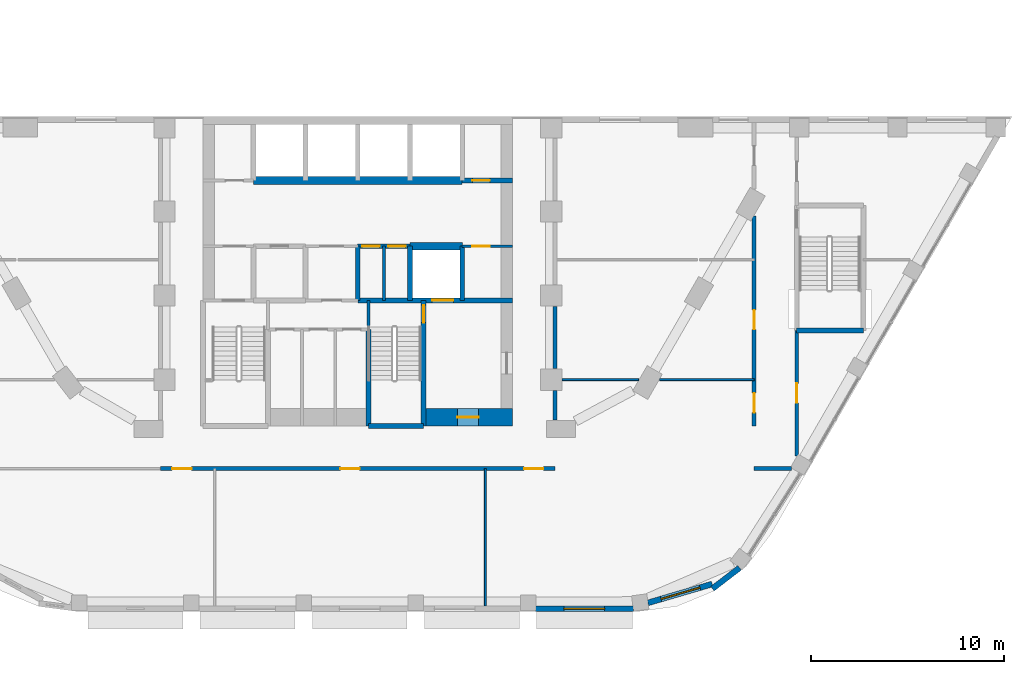
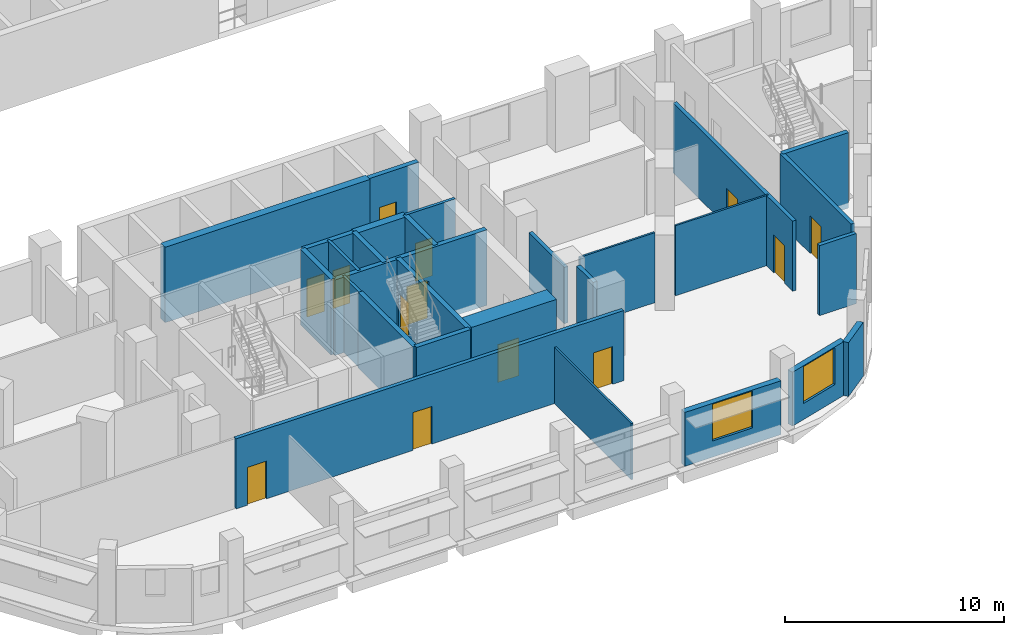
# One storey, part 21 of 47: 28 walls, 13 doors, 2 windows, 15 openings.
"""IFC4 building model written with IfcOpenShell, lengths in metres."""

from ifc_helpers import new_model, si_unit, direction, frame, frame_2d, origin, place, context, subcontext, project, spatial, rectangle, extrude, material, layer, layer_set, type_object, element, fill, save


model = new_model("IFC4")

# Units and contexts
model_context = context("Model", 3, precision=1e-05, world=origin(), true_north=direction((0.0, 1.0)))
body_context = subcontext(model_context, "Body", "Model", "MODEL_VIEW")
ifc_project = project(units=[si_unit("LENGTHUNIT", "METRE"), si_unit("AREAUNIT", "SQUARE_METRE"), si_unit("VOLUMEUNIT", "CUBIC_METRE"), si_unit("PLANEANGLEUNIT", "RADIAN"), si_unit("MASSUNIT", "GRAM", prefix="KILO")], contexts=[model_context])

# Site, building, storey
site_placement = place(None, origin())
site = spatial("IfcSite", under=ifc_project, at=site_placement, CompositionType="ELEMENT")
building_placement = place(site_placement, origin())
building = spatial("IfcBuilding", under=site, at=building_placement, Name="Nakaniwa Court", CompositionType="ELEMENT")
storey_placement = place(building_placement, frame((0.0, 0.0, 15.60009765625)))
storey = spatial("IfcBuildingStorey", under=building, at=storey_placement, Name="L03", CompositionType="ELEMENT", Elevation=15.60009765625)

# Wall, opening, door
ifc_material_1 = material(Name="Acoustic double stud partition")
ifc_layer_1 = layer(ifc_material_1, 0.199951171875)
ifc_layer_set_1 = layer_set([ifc_layer_1], Name="Acoustic double stud partition")
wall_type_1 = type_object("IfcWallType", Name="Acoustic double stud partition 200", PredefinedType="PARTITIONING", material=ifc_layer_set_1)
wall_1_placement = place(storey_placement, frame((102.699951171875, 61.552978515625, 0.0), z_axis=(0.0, 0.0, 1.0), x_axis=(0.0, -1.0, 0.0)))
wall_1 = element("IfcWall", 1, at=wall_1_placement, inside=storey, type_object=wall_type_1, Name="Partition PW-081", PredefinedType="PARTITIONING", context=body_context, shape_type="SweptSolid", body=[
    extrude(rectangle(XDim=6.49853515625, YDim=0.199951171875, at=frame_2d((3.249267578125, 0.0))), origin(), (0.0, 0.0, 1.0), 3.89990234375),
])
opening_1_placement = place(wall_1_placement, frame((2.75, 0.0, 0.0)))
opening_1 = element("IfcOpeningElement", 2, at=opening_1_placement, cuts=wall_1, Name="Opening D-02-11", PredefinedType="OPENING", context=body_context, shape_type="SweptSolid", body=[
    extrude(rectangle(XDim=1.0, YDim=2.10009765625, at=frame_2d((0.5, 1.050048828125))), frame((0.0, 0.10986328125, 0.0), z_axis=(0.0, -1.0, 0.0), x_axis=(1.0, 0.0, 0.0)), (0.0, 0.0, 1.0), 0.219970703125),
])
ifc_material_2 = material(Name="Solid core timber door set, black veneer", Category="wood")
door_type_1 = type_object("IfcDoorType", Name="Internal door 1000", OperationType="NOTDEFINED", PredefinedType="DOOR", material=ifc_material_2)
door_1_placement = place(opening_1_placement, origin())
door_1 = element("IfcDoor", 3, at=door_1_placement, inside=storey, type_object=door_type_1, Name="Door D-02-11 L03-043", OperationType="SINGLE_SWING_RIGHT", OverallHeight=2.10009765625, OverallWidth=1.0, PredefinedType="DOOR", context=body_context, shape_type="SweptSolid", body=[
    extrude(rectangle(XDim=1.0, YDim=2.10009765625, at=frame_2d((0.5, 1.050048828125))), frame((0.0, 0.02490234375, 0.0), z_axis=(0.0, -1.0, 0.0), x_axis=(1.0, 0.0, 0.0)), (0.0, 0.0, 1.0), 0.050048828125),
])
fill(opening_1, door_1)

# Wall, openings, doors
wall_2_placement = place(storey_placement, frame((100.5, 56.596923828125, 0.0), z_axis=(0.0, 0.0, 1.0), x_axis=(0.0, 1.0, 0.0)))
wall_2 = element("IfcWall", 4, at=wall_2_placement, inside=storey, type_object=wall_type_1, Name="Partition PW-085", PredefinedType="PARTITIONING", context=body_context, shape_type="SweptSolid", body=[
    extrude(rectangle(XDim=10.873291015625, YDim=0.199951171875, at=frame_2d((5.4365234375, 0.0))), origin(), (0.0, 0.0, 1.0), 3.89990234375),
])
opening_2_placement = place(wall_2_placement, frame((5.0029296875, 0.0, 0.0)))
opening_2 = element("IfcOpeningElement", 5, at=opening_2_placement, cuts=wall_2, Name="Opening D-02-15", PredefinedType="OPENING", context=body_context, shape_type="SweptSolid", body=[
    extrude(rectangle(XDim=1.0, YDim=2.10009765625, at=frame_2d((0.5, 1.050048828125))), frame((0.0, 0.10986328125, 0.0), z_axis=(0.0, -1.0, 0.0), x_axis=(1.0, 0.0, 0.0)), (0.0, 0.0, 1.0), 0.219970703125),
])
opening_3_placement = place(wall_2_placement, frame((0.702880859375, 0.0, 0.0)))
opening_3 = element("IfcOpeningElement", 6, at=opening_3_placement, cuts=wall_2, Name="Opening D-02-16", PredefinedType="OPENING", context=body_context, shape_type="SweptSolid", body=[
    extrude(rectangle(XDim=1.0, YDim=2.10009765625, at=frame_2d((0.5, 1.050048828125))), frame((0.0, 0.10986328125, 0.0), z_axis=(0.0, -1.0, 0.0), x_axis=(1.0, 0.0, 0.0)), (0.0, 0.0, 1.0), 0.219970703125),
])
door_2_placement = place(opening_2_placement, origin())
door_2 = element("IfcDoor", 7, at=door_2_placement, inside=storey, type_object=door_type_1, Name="Door D-02-15 L03-047", OperationType="SINGLE_SWING_RIGHT", OverallHeight=2.10009765625, OverallWidth=1.0, PredefinedType="DOOR", context=body_context, shape_type="SweptSolid", body=[
    extrude(rectangle(XDim=1.0, YDim=2.10009765625, at=frame_2d((0.5, 1.050048828125))), frame((0.0, 0.02490234375, 0.0), z_axis=(0.0, -1.0, 0.0), x_axis=(1.0, 0.0, 0.0)), (0.0, 0.0, 1.0), 0.050048828125),
])
fill(opening_2, door_2)
door_3_placement = place(opening_3_placement, origin())
door_3 = element("IfcDoor", 8, at=door_3_placement, inside=storey, type_object=door_type_1, Name="Door D-02-16 L03-048", OperationType="SINGLE_SWING_LEFT", OverallHeight=2.10009765625, OverallWidth=1.0, PredefinedType="DOOR", context=body_context, shape_type="SweptSolid", body=[
    extrude(rectangle(XDim=1.0, YDim=2.10009765625, at=frame_2d((0.5, 1.050048828125))), frame((0.0, 0.02490234375, 0.0), z_axis=(0.0, -1.0, 0.0), x_axis=(1.0, 0.0, 0.0)), (0.0, 0.0, 1.0), 0.050048828125),
])
fill(opening_3, door_3)

# Walls
wall_3_placement = place(storey_placement, frame((90.199951171875, 56.9169921875, 0.0), z_axis=(0.0, 0.0, 1.0), x_axis=(0.0, 1.0, 0.0)))
element("IfcWall", 9, at=wall_3_placement, inside=storey, type_object=wall_type_1, Name="Partition PW-102", PredefinedType="PARTITIONING", context=body_context, shape_type="SweptSolid", body=[
    extrude(rectangle(XDim=1.51611328125, YDim=0.199951171875, at=frame_2d((0.758056640625, 0.0))), origin(), (0.0, 0.0, 1.0), 3.89990234375),
])
wall_4_placement = place(storey_placement, frame((90.199951171875, 59.56689453125, 0.0), z_axis=(0.0, 0.0, 1.0), x_axis=(0.0, 1.0, 0.0)))
element("IfcWall", 10, at=wall_4_placement, inside=storey, type_object=wall_type_1, Name="Partition PW-103", PredefinedType="PARTITIONING", context=body_context, shape_type="SweptSolid", body=[
    extrude(rectangle(XDim=3.216064453125, YDim=0.199951171875, at=frame_2d((1.60791015625, 0.0))), origin(), (0.0, 0.0, 1.0), 3.1298828125),
])

# Wall, openings, doors
wall_5_placement = place(storey_placement, frame((90.199951171875, 54.39990234375, 0.0), z_axis=(0.0, 0.0, 1.0), x_axis=(-1.0, 0.0, 0.0)))
wall_5 = element("IfcWall", 11, at=wall_5_placement, inside=storey, type_object=wall_type_1, Name="Partition PW-133", PredefinedType="PARTITIONING", context=body_context, shape_type="SweptSolid", body=[
    extrude(rectangle(XDim=20.39990234375, YDim=0.199951171875, at=frame_2d((10.199951171875, 0.0))), origin(), (0.0, 0.0, 1.0), 3.89990234375),
])
opening_4_placement = place(wall_5_placement, frame((18.800048828125, 0.0, 0.0)))
opening_4 = element("IfcOpeningElement", 12, at=opening_4_placement, cuts=wall_5, Name="Opening D-02-20", PredefinedType="OPENING", context=body_context, shape_type="SweptSolid", body=[
    extrude(rectangle(XDim=1.0, YDim=2.10009765625, at=frame_2d((0.5, 1.050048828125))), frame((0.0, 0.10986328125, 0.0), z_axis=(0.0, -1.0, 0.0), x_axis=(1.0, 0.0, 0.0)), (0.0, 0.0, 1.0), 0.219970703125),
])
opening_5_placement = place(wall_5_placement, frame((0.60009765625, 0.0, 0.0)))
opening_5 = element("IfcOpeningElement", 13, at=opening_5_placement, cuts=wall_5, Name="Opening D-02-21", PredefinedType="OPENING", context=body_context, shape_type="SweptSolid", body=[
    extrude(rectangle(XDim=1.0, YDim=2.10009765625, at=frame_2d((0.5, 1.050048828125))), frame((0.0, 0.10986328125, 0.0), z_axis=(0.0, -1.0, 0.0), x_axis=(1.0, 0.0, 0.0)), (0.0, 0.0, 1.0), 0.219970703125),
])
opening_6_placement = place(wall_5_placement, frame((10.10009765625, 0.0, 0.0)))
opening_6 = element("IfcOpeningElement", 14, at=opening_6_placement, cuts=wall_5, Name="Opening D-02-22", PredefinedType="OPENING", context=body_context, shape_type="SweptSolid", body=[
    extrude(rectangle(XDim=1.0, YDim=2.10009765625, at=frame_2d((0.5, 1.050048828125))), frame((0.0, 0.10986328125, 0.0), z_axis=(0.0, -1.0, 0.0), x_axis=(1.0, 0.0, 0.0)), (0.0, 0.0, 1.0), 0.219970703125),
])
door_4_placement = place(opening_4_placement, origin())
door_4 = element("IfcDoor", 15, at=door_4_placement, inside=storey, type_object=door_type_1, Name="Door D-02-20 L03-052", OperationType="SINGLE_SWING_LEFT", OverallHeight=2.10009765625, OverallWidth=1.0, PredefinedType="DOOR", context=body_context, shape_type="SweptSolid", body=[
    extrude(rectangle(XDim=1.0, YDim=2.10009765625, at=frame_2d((0.5, 1.050048828125))), frame((0.0, 0.02490234375, 0.0), z_axis=(0.0, -1.0, 0.0), x_axis=(1.0, 0.0, 0.0)), (0.0, 0.0, 1.0), 0.050048828125),
])
fill(opening_4, door_4)
door_5_placement = place(opening_5_placement, origin())
door_5 = element("IfcDoor", 16, at=door_5_placement, inside=storey, type_object=door_type_1, Name="Door D-02-21 L03-053", OperationType="SINGLE_SWING_RIGHT", OverallHeight=2.10009765625, OverallWidth=1.0, PredefinedType="DOOR", context=body_context, shape_type="SweptSolid", body=[
    extrude(rectangle(XDim=1.0, YDim=2.10009765625, at=frame_2d((0.5, 1.050048828125))), frame((0.0, 0.02490234375, 0.0), z_axis=(0.0, -1.0, 0.0), x_axis=(1.0, 0.0, 0.0)), (0.0, 0.0, 1.0), 0.050048828125),
])
fill(opening_5, door_5)
door_6_placement = place(opening_6_placement, origin())
door_6 = element("IfcDoor", 17, at=door_6_placement, inside=storey, type_object=door_type_1, Name="Door D-02-22 L03-054", OperationType="SINGLE_SWING_LEFT", OverallHeight=2.10009765625, OverallWidth=1.0, PredefinedType="DOOR", context=body_context, shape_type="SweptSolid", body=[
    extrude(rectangle(XDim=1.0, YDim=2.10009765625, at=frame_2d((0.5, 1.050048828125))), frame((0.0, 0.02490234375, 0.0), z_axis=(0.0, -1.0, 0.0), x_axis=(1.0, 0.0, 0.0)), (0.0, 0.0, 1.0), 0.050048828125),
])
fill(opening_6, door_6)

# Wall
wall_6_placement = place(storey_placement, frame((100.5, 54.39990234375, 0.0), z_axis=(0.0, 0.0, 1.0), x_axis=(1.0, 0.0, 0.0)))
element("IfcWall", 18, at=wall_6_placement, inside=storey, type_object=wall_type_1, Name="Partition PW-134", PredefinedType="PARTITIONING", context=body_context, shape_type="SweptSolid", body=[
    extrude(rectangle(XDim=1.93408203125, YDim=0.199951171875, at=frame_2d((0.967041015625, 0.0))), origin(), (0.0, 0.0, 1.0), 3.89990234375),
])

# Wall, opening, window
ifc_material_3 = material(Name="Charcoal ceramic cladding")
ifc_layer_2 = layer(ifc_material_3, 0.02, Name="Ceramic cladding")
ifc_material_4 = material(Name="Ventilated air cavity")
ifc_layer_3 = layer(ifc_material_4, 0.04, ventilated=True, Name="Ventilated cavity")
ifc_material_5 = material(Name="Mineral wool insulation")
ifc_layer_4 = layer(ifc_material_5, 0.1, Name="Insulation")
ifc_material_6 = material(Name="Cement bonded sheathing board")
ifc_layer_5 = layer(ifc_material_6, 0.012, Name="Sheathing")
ifc_material_7 = material(Name="Cold-formed galvanised stud frame with mineral wool infill")
ifc_layer_6 = layer(ifc_material_7, 0.1, Name="Stud frame")
ifc_material_8 = material(Name="Fire-rated gypsum plasterboard lining")
ifc_layer_7 = layer(ifc_material_8, 0.028, Name="Lining")
ifc_layer_set_2 = layer_set([ifc_layer_2, ifc_layer_3, ifc_layer_4, ifc_layer_5, ifc_layer_6, ifc_layer_7], Name="Charcoal ceramic faced external wall system")
wall_type_2 = type_object("IfcWallType", Name="Black ceramic faced external wall 300", PredefinedType="SOLIDWALL", material=ifc_layer_set_2)
wall_7_placement = place(storey_placement, frame((89.20068359375, 47.14990234375, 0.0), z_axis=(0.0, 0.0, 1.0), x_axis=(1.0, 0.0, 0.0)))
wall_7 = element("IfcWall", 19, at=wall_7_placement, inside=storey, type_object=wall_type_2, Name="L03 external wall 23", PredefinedType="SOLIDWALL", context=body_context, shape_type="SweptSolid", body=[
    extrude(rectangle(XDim=5.048095703125, YDim=0.300048828125, at=frame_2d((2.52392578125, 0.0))), origin(), (0.0, 0.0, 1.0), 3.0),
])
opening_7_placement = place(wall_7_placement, frame((1.462646484375, 0.0, 0.89990234375)))
opening_7 = element("IfcOpeningElement", 20, at=opening_7_placement, cuts=wall_7, Name="Opening W2.20", PredefinedType="OPENING", context=body_context, shape_type="SweptSolid", body=[
    extrude(rectangle(XDim=2.10009765625, YDim=2.050048828125, at=frame_2d((1.050048828125, 1.02490234375))), frame((0.0, 0.159912109375, 0.0), z_axis=(0.0, -1.0, 0.0), x_axis=(1.0, 0.0, 0.0)), (0.0, 0.0, 1.0), 0.320068359375),
])
ifc_material_9 = material(Name="Black anodised aluminium frame with dark low-E laminated double glazing", Category="aluminium")
window_type = type_object("IfcWindowType", Name="Dark glass window 2100x2050 sill 900", PartitioningType="SINGLE_PANEL", PredefinedType="WINDOW", material=ifc_material_9)
window_1_placement = place(opening_7_placement, origin())
window_1 = element("IfcWindow", 21, at=window_1_placement, inside=storey, type_object=window_type, Name="L03 habitable room window 23-0", OverallHeight=2.050048828125, OverallWidth=2.10009765625, PartitioningType="SINGLE_PANEL", PredefinedType="WINDOW", context=body_context, shape_type="SweptSolid", body=[
    extrude(rectangle(XDim=2.10009765625, YDim=2.050048828125, at=frame_2d((1.050048828125, 1.02490234375))), frame((0.0, 0.030029296875, 0.0), z_axis=(0.0, -1.0, 0.0), x_axis=(1.0, 0.0, 0.0)), (0.0, 0.0, 1.0), 0.06005859375),
])
fill(opening_7, window_1)

wall_8_placement = place(storey_placement, frame((95.00732421875, 47.45654296875, 0.0), z_axis=(0.0, 0.0, 1.0), x_axis=(0.959578633815, 0.281440660756, 0.0)))
wall_8 = element("IfcWall", 22, at=wall_8_placement, inside=storey, type_object=wall_type_2, Name="L03 external wall 24", PredefinedType="SOLIDWALL", context=body_context, shape_type="SweptSolid", body=[
    extrude(rectangle(XDim=3.461181640625, YDim=0.300048828125, at=frame_2d((1.73046875, 0.0))), origin(), (0.0, 0.0, 1.0), 3.0),
])
opening_8_placement = place(wall_8_placement, frame((0.705810546875, 0.0, 0.89990234375)))
opening_8 = element("IfcOpeningElement", 23, at=opening_8_placement, cuts=wall_8, Name="Opening W2.21", PredefinedType="OPENING", context=body_context, shape_type="SweptSolid", body=[
    extrude(rectangle(XDim=2.10009765625, YDim=2.050048828125, at=frame_2d((1.050048828125, 1.02490234375))), frame((0.0, 0.159912109375, 0.0), z_axis=(0.0, -1.0, 0.0), x_axis=(1.0, 0.0, 0.0)), (0.0, 0.0, 1.0), 0.320068359375),
])
window_2_placement = place(opening_8_placement, origin())
window_2 = element("IfcWindow", 24, at=window_2_placement, inside=storey, type_object=window_type, Name="L03 habitable room window 24-0", OverallHeight=2.050048828125, OverallWidth=2.10009765625, PartitioningType="SINGLE_PANEL", PredefinedType="WINDOW", context=body_context, shape_type="SweptSolid", body=[
    extrude(rectangle(XDim=2.10009765625, YDim=2.050048828125, at=frame_2d((1.050048828125, 1.02490234375))), frame((0.0, 0.030029296875, 0.0), z_axis=(0.0, -1.0, 0.0), x_axis=(1.0, 0.0, 0.0)), (0.0, 0.0, 1.0), 0.06005859375),
])
fill(opening_8, window_2)

# Wall
wall_9_placement = place(storey_placement, frame((98.342529296875, 48.19091796875, 0.0), z_axis=(0.0, 0.0, 1.0), x_axis=(0.793403972369, 0.608695438318, 0.0)))
element("IfcWall", 25, at=wall_9_placement, inside=storey, type_object=wall_type_2, Name="L03 external wall 25", PredefinedType="SOLIDWALL", context=body_context, shape_type="SweptSolid", body=[
    extrude(rectangle(XDim=1.76708984375, YDim=0.300048828125, at=frame_2d((0.883544921875, 0.0))), origin(), (0.0, 0.0, 1.0), 3.0),
])

# Wall, opening, door
ifc_material_10 = material(Name="Blockwork partition", Category="masonry")
ifc_layer_8 = layer(ifc_material_10, 0.14990234375)
ifc_layer_set_3 = layer_set([ifc_layer_8], Name="Blockwork partition")
wall_type_3 = type_object("IfcWallType", Name="Blockwork partition 150", PredefinedType="PARTITIONING", material=ifc_layer_set_3)
wall_10_placement = place(storey_placement, frame((88.0, 65.89990234375, 0.0), z_axis=(0.0, 0.0, 1.0), x_axis=(-1.0, 0.0, 0.0)))
wall_10 = element("IfcWall", 26, at=wall_10_placement, inside=storey, type_object=wall_type_3, Name="Partition PW-057", PredefinedType="PARTITIONING", context=body_context, shape_type="SweptSolid", body=[
    extrude(rectangle(XDim=2.60302734375, YDim=0.14990234375, at=frame_2d((1.301513671875, 0.0))), origin(), (0.0, 0.0, 1.0), 3.89990234375),
])
opening_9_placement = place(wall_10_placement, frame((1.175048828125, 0.0, 0.0)))
opening_9 = element("IfcOpeningElement", 27, at=opening_9_placement, cuts=wall_10, Name="Opening D-05-15", PredefinedType="OPENING", context=body_context, shape_type="SweptSolid", body=[
    extrude(rectangle(XDim=0.89990234375, YDim=2.10009765625, at=frame_2d((0.449951171875, 1.050048828125))), frame((0.0, 0.0849609375, 0.0), z_axis=(0.0, -1.0, 0.0), x_axis=(1.0, 0.0, 0.0)), (0.0, 0.0, 1.0), 0.169921875),
])
ifc_material_11 = material(Name="Fire rated steel door set", Category="steel")
door_type_2 = type_object("IfcDoorType", Name="Service room door 900", OperationType="NOTDEFINED", PredefinedType="DOOR", material=ifc_material_11)
door_7_placement = place(opening_9_placement, origin())
door_7 = element("IfcDoor", 28, at=door_7_placement, inside=storey, type_object=door_type_2, Name="Door D-05-15 L03-022", OperationType="SINGLE_SWING_LEFT", OverallHeight=2.10009765625, OverallWidth=0.89990234375, PredefinedType="DOOR", context=body_context, shape_type="SweptSolid", body=[
    extrude(rectangle(XDim=0.89990234375, YDim=2.10009765625, at=frame_2d((0.449951171875, 1.050048828125))), frame((0.0, 0.02490234375, 0.0), z_axis=(0.0, -1.0, 0.0), x_axis=(1.0, 0.0, 0.0)), (0.0, 0.0, 1.0), 0.050048828125),
])
fill(opening_9, door_7)

# Walls
wall_11_placement = place(storey_placement, frame((81.35009765625, 63.10009765625, 0.0), z_axis=(0.0, 0.0, 1.0), x_axis=(0.0, 1.0, 0.0)))
element("IfcWall", 29, at=wall_11_placement, inside=storey, type_object=wall_type_3, Name="Partition PW-065", PredefinedType="PARTITIONING", context=body_context, shape_type="SweptSolid", body=[
    extrude(rectangle(XDim=2.7998046875, YDim=0.14990234375, at=frame_2d((1.39990234375, 0.0))), origin(), (0.0, 0.0, 1.0), 3.89990234375),
])
ifc_material_12 = material(Name="Concrete C100/115", Category="concrete")
ifc_layer_9 = layer(ifc_material_12, 0.39990234375)
ifc_layer_set_4 = layer_set([ifc_layer_9], Name="Concrete C100/115")
wall_type_4 = type_object("IfcWallType", Name="Concrete core spine wall 400 C100", PredefinedType="SHEAR", material=ifc_layer_set_4)
wall_12_placement = place(storey_placement, frame((74.60009765625, 69.300048828125, -0.300048828125), z_axis=(0.0, 0.0, 1.0), x_axis=(1.0, 0.0, 0.0)))
element("IfcWall", 30, at=wall_12_placement, inside=storey, type_object=wall_type_4, Name="Core wall SW-46", PredefinedType="SHEAR", context=body_context, shape_type="SweptSolid", body=[
    extrude(rectangle(XDim=10.7998046875, YDim=0.39990234375, at=frame_2d((5.39990234375, 0.0))), origin(), (0.0, 0.0, 1.0), 4.199951171875),
])
wall_13_placement = place(storey_placement, frame((82.697021484375, 65.89990234375, -0.300048828125), z_axis=(0.0, 0.0, 1.0), x_axis=(1.0, 0.0, 0.0)))
element("IfcWall", 31, at=wall_13_placement, inside=storey, type_object=wall_type_4, Name="Core wall SW-60", PredefinedType="SHEAR", context=body_context, shape_type="SweptSolid", body=[
    extrude(rectangle(XDim=2.7060546875, YDim=0.39990234375, at=frame_2d((1.35302734375, 0.0))), origin(), (0.0, 0.0, 1.0), 4.199951171875),
])
ifc_layer_10 = layer(ifc_material_12, 0.14990234375)
ifc_layer_set_5 = layer_set([ifc_layer_10], Name="Concrete C100/115")
wall_type_5 = type_object("IfcWallType", Name="Concrete core wall 150 C100", PredefinedType="SHEAR", material=ifc_layer_set_5)
wall_14_placement = place(storey_placement, frame((80.550048828125, 61.596923828125, -0.300048828125), z_axis=(0.0, 0.0, 1.0), x_axis=(0.0, 1.0, 0.0)))
element("IfcWall", 32, at=wall_14_placement, inside=storey, type_object=wall_type_5, Name="Core wall SW-72", PredefinedType="SHEAR", context=body_context, shape_type="SweptSolid", body=[
    extrude(rectangle(XDim=1.503173828125, YDim=0.14990234375, at=frame_2d((0.75146484375, 0.0))), origin(), (0.0, 0.0, 1.0), 4.199951171875),
])
ifc_layer_11 = layer(ifc_material_12, 0.25)
ifc_layer_set_6 = layer_set([ifc_layer_11], Name="Concrete C100/115")
wall_type_6 = type_object("IfcWallType", Name="Concrete core wall 250 C100", PredefinedType="SHEAR", material=ifc_layer_set_6)
wall_15_placement = place(storey_placement, frame((80.550048828125, 56.60009765625, -0.300048828125), z_axis=(0.0, 0.0, 1.0), x_axis=(1.0, 0.0, 0.0)))
element("IfcWall", 33, at=wall_15_placement, inside=storey, type_object=wall_type_6, Name="Core wall SW-70", PredefinedType="SHEAR", context=body_context, shape_type="SweptSolid", body=[
    extrude(rectangle(XDim=2.849853515625, YDim=0.25, at=frame_2d((1.4248046875, 0.0))), origin(), (0.0, 0.0, 1.0), 4.199951171875),
])
wall_16_placement = place(storey_placement, frame((102.699951171875, 61.550048828125, -0.300048828125), z_axis=(0.0, 0.0, 1.0), x_axis=(1.0, 0.0, 0.0)))
element("IfcWall", 34, at=wall_16_placement, inside=storey, type_object=wall_type_6, Name="Core wall SW-138", PredefinedType="SHEAR", context=body_context, shape_type="SweptSolid", body=[
    extrude(rectangle(XDim=3.449951171875, YDim=0.25, at=frame_2d((1.72509765625, 0.0))), origin(), (0.0, 0.0, 1.0), 4.199951171875),
])

# Wall, opening, door
ifc_layer_12 = layer(ifc_material_12, 0.89990234375)
ifc_layer_set_7 = layer_set([ifc_layer_12], Name="Concrete C100/115")
wall_type_7 = type_object("IfcWallType", Name="Concrete core wall 900 C100", PredefinedType="SHEAR", material=ifc_layer_set_7)
wall_17_placement = place(storey_placement, frame((88.0, 57.050048828125, -0.300048828125), z_axis=(0.0, 0.0, 1.0), x_axis=(-1.0, 0.0, 0.0)))
wall_17 = element("IfcWall", 35, at=wall_17_placement, inside=storey, type_object=wall_type_7, Name="Core wall SW-75", PredefinedType="SHEAR", context=body_context, shape_type="SweptSolid", body=[
    extrude(rectangle(XDim=4.60009765625, YDim=0.89990234375, at=frame_2d((2.300048828125, 0.0))), origin(), (0.0, 0.0, 1.0), 4.199951171875),
])
opening_10_placement = place(wall_17_placement, frame((1.751953125, 0.0, 0.300048828125)))
opening_10 = element("IfcOpeningElement", 36, at=opening_10_placement, cuts=wall_17, Name="Opening D-10-04", PredefinedType="OPENING", context=body_context, shape_type="SweptSolid", body=[
    extrude(rectangle(XDim=1.10009765625, YDim=2.10009765625, at=frame_2d((0.550048828125, 1.050048828125))), frame((0.0, 0.4599609375, 0.0), z_axis=(0.0, -1.0, 0.0), x_axis=(1.0, 0.0, 0.0)), (0.0, 0.0, 1.0), 0.919921875),
])
door_type_3 = type_object("IfcDoorType", Name="Firefighting lobby door 1100", OperationType="NOTDEFINED", PredefinedType="DOOR", material=ifc_material_11)
door_8_placement = place(opening_10_placement, origin())
door_8 = element("IfcDoor", 37, at=door_8_placement, inside=storey, type_object=door_type_3, Name="Door D-10-04 L03-058", OperationType="SINGLE_SWING_LEFT", OverallHeight=2.10009765625, OverallWidth=1.10009765625, PredefinedType="DOOR", context=body_context, shape_type="SweptSolid", body=[
    extrude(rectangle(XDim=1.10009765625, YDim=2.10009765625, at=frame_2d((0.550048828125, 1.050048828125))), frame((0.0, 0.02490234375, 0.0), z_axis=(0.0, -1.0, 0.0), x_axis=(1.0, 0.0, 0.0)), (0.0, 0.0, 1.0), 0.050048828125),
])
fill(opening_10, door_8)

# Walls
ifc_layer_13 = layer(ifc_material_12, 0.25)
ifc_layer_set_8 = layer_set([ifc_layer_13], Name="Concrete C100/115")
wall_type_8 = type_object("IfcWallType", Name="Concrete shaft wall 250 C100", PredefinedType="SHEAR", material=ifc_layer_set_8)
for number, where, z_axis, x_axis, name in (
    (38, (80.0, 63.10009765625, -0.300048828125), (0.0, 0.0, 1.0), (0.0, 1.0, 0.0), "Core wall SW-47"),
    (39, (82.699951171875, 63.10009765625, -0.300048828125), (0.0, 0.0, 1.0), (0.0, 1.0, 0.0), "Core wall SW-49"),
    (40, (85.39990234375, 63.10009765625, -0.300048828125), (0.0, 0.0, 1.0), (0.0, 1.0, 0.0), "Core wall SW-51"),
):
    element("IfcWall", number, at=place(storey_placement, frame(where, z_axis=z_axis, x_axis=x_axis)), inside=storey, type_object=wall_type_8, Name=name, PredefinedType="SHEAR", context=body_context, shape_type="SweptSolid", body=[
        extrude(rectangle(XDim=2.7998046875, YDim=0.25, at=frame_2d((1.39990234375, 0.0))), origin(), (0.0, 0.0, 1.0), 4.199951171875),
    ])

# Wall, opening, door
wall_18_placement = place(storey_placement, frame((85.39990234375, 69.300048828125, -0.300048828125), z_axis=(0.0, 0.0, 1.0), x_axis=(1.0, 0.0, 0.0)))
wall_18 = element("IfcWall", 41, at=wall_18_placement, inside=storey, type_object=wall_type_8, Name="Core wall SW-53", PredefinedType="SHEAR", context=body_context, shape_type="SweptSolid", body=[
    extrude(rectangle(XDim=2.60009765625, YDim=0.25, at=frame_2d((1.300048828125, 0.0))), origin(), (0.0, 0.0, 1.0), 4.199951171875),
])
opening_11_placement = place(wall_18_placement, frame((0.52490234375, 0.0, 0.300048828125)))
opening_11 = element("IfcOpeningElement", 42, at=opening_11_placement, cuts=wall_18, Name="Opening D-05-11", PredefinedType="OPENING", context=body_context, shape_type="SweptSolid", body=[
    extrude(rectangle(XDim=0.89990234375, YDim=2.10009765625, at=frame_2d((0.449951171875, 1.050048828125))), frame((0.0, 0.135009765625, 0.0), z_axis=(0.0, -1.0, 0.0), x_axis=(1.0, 0.0, 0.0)), (0.0, 0.0, 1.0), 0.27001953125),
])
door_9_placement = place(opening_11_placement, origin())
door_9 = element("IfcDoor", 43, at=door_9_placement, inside=storey, type_object=door_type_2, Name="Door D-05-11 L03-016", OperationType="SINGLE_SWING_LEFT", OverallHeight=2.10009765625, OverallWidth=0.89990234375, PredefinedType="DOOR", context=body_context, shape_type="SweptSolid", body=[
    extrude(rectangle(XDim=0.89990234375, YDim=2.10009765625, at=frame_2d((0.449951171875, 1.050048828125))), frame((0.0, 0.02490234375, 0.0), z_axis=(0.0, -1.0, 0.0), x_axis=(1.0, 0.0, 0.0)), (0.0, 0.0, 1.0), 0.050048828125),
])
fill(opening_11, door_9)

# Wall, openings, doors
wall_19_placement = place(storey_placement, frame((82.702880859375, 65.89990234375, -0.300048828125), z_axis=(0.0, 0.0, 1.0), x_axis=(-1.0, 0.0, 0.0)))
wall_19 = element("IfcWall", 44, at=wall_19_placement, inside=storey, type_object=wall_type_8, Name="Core wall SW-59", PredefinedType="SHEAR", context=body_context, shape_type="SweptSolid", body=[
    extrude(rectangle(XDim=2.705810546875, YDim=0.25, at=frame_2d((1.35302734375, 0.0))), origin(), (0.0, 0.0, 1.0), 4.199951171875),
])
opening_12_placement = place(wall_19_placement, frame((1.577880859375, 0.0, 0.300048828125)))
opening_12 = element("IfcOpeningElement", 45, at=opening_12_placement, cuts=wall_19, Name="Opening D-05-13", PredefinedType="OPENING", context=body_context, shape_type="SweptSolid", body=[
    extrude(rectangle(XDim=0.89990234375, YDim=2.10009765625, at=frame_2d((0.449951171875, 1.050048828125))), frame((0.0, 0.135009765625, 0.0), z_axis=(0.0, -1.0, 0.0), x_axis=(1.0, 0.0, 0.0)), (0.0, 0.0, 1.0), 0.27001953125),
])
opening_13_placement = place(wall_19_placement, frame((0.22802734375, 0.0, 0.300048828125)))
opening_13 = element("IfcOpeningElement", 46, at=opening_13_placement, cuts=wall_19, Name="Opening D-05-14", PredefinedType="OPENING", context=body_context, shape_type="SweptSolid", body=[
    extrude(rectangle(XDim=0.89990234375, YDim=2.10009765625, at=frame_2d((0.449951171875, 1.050048828125))), frame((0.0, 0.135009765625, 0.0), z_axis=(0.0, -1.0, 0.0), x_axis=(1.0, 0.0, 0.0)), (0.0, 0.0, 1.0), 0.27001953125),
])
door_10_placement = place(opening_12_placement, origin())
door_10 = element("IfcDoor", 47, at=door_10_placement, inside=storey, type_object=door_type_2, Name="Door D-05-13 L03-020", OperationType="SINGLE_SWING_LEFT", OverallHeight=2.10009765625, OverallWidth=0.89990234375, PredefinedType="DOOR", context=body_context, shape_type="SweptSolid", body=[
    extrude(rectangle(XDim=0.89990234375, YDim=2.10009765625, at=frame_2d((0.449951171875, 1.050048828125))), frame((0.0, 0.02490234375, 0.0), z_axis=(0.0, -1.0, 0.0), x_axis=(1.0, 0.0, 0.0)), (0.0, 0.0, 1.0), 0.050048828125),
])
fill(opening_12, door_10)
door_11_placement = place(opening_13_placement, origin())
door_11 = element("IfcDoor", 48, at=door_11_placement, inside=storey, type_object=door_type_2, Name="Door D-05-14 L03-021", OperationType="SINGLE_SWING_RIGHT", OverallHeight=2.10009765625, OverallWidth=0.89990234375, PredefinedType="DOOR", context=body_context, shape_type="SweptSolid", body=[
    extrude(rectangle(XDim=0.89990234375, YDim=2.10009765625, at=frame_2d((0.449951171875, 1.050048828125))), frame((0.0, 0.02490234375, 0.0), z_axis=(0.0, -1.0, 0.0), x_axis=(1.0, 0.0, 0.0)), (0.0, 0.0, 1.0), 0.050048828125),
])
fill(opening_13, door_11)

# Wall, opening, door
wall_20_placement = place(storey_placement, frame((80.0, 63.10009765625, -0.300048828125), z_axis=(0.0, 0.0, 1.0), x_axis=(1.0, 0.0, 0.0)))
wall_20 = element("IfcWall", 49, at=wall_20_placement, inside=storey, type_object=wall_type_8, Name="Core wall SW-63", PredefinedType="SHEAR", context=body_context, shape_type="SweptSolid", body=[
    extrude(rectangle(XDim=8.0, YDim=0.25, at=frame_2d((4.0, 0.0))), origin(), (0.0, 0.0, 1.0), 4.199951171875),
])
opening_14_placement = place(wall_20_placement, frame((3.84912109375, 0.0, 0.300048828125)))
opening_14 = element("IfcOpeningElement", 50, at=opening_14_placement, cuts=wall_20, Name="Opening LD02", PredefinedType="OPENING", context=body_context, shape_type="SweptSolid", body=[
    extrude(rectangle(XDim=1.10009765625, YDim=2.10009765625, at=frame_2d((0.550048828125, 1.050048828125))), frame((0.0, 0.135009765625, 0.0), z_axis=(0.0, -1.0, 0.0), x_axis=(1.0, 0.0, 0.0)), (0.0, 0.0, 1.0), 0.27001953125),
])
ifc_material_13 = material(Name="Stainless steel sliding lift landing door", Category="steel")
door_type_4 = type_object("IfcDoorType", Name="Lift landing door 1100", OperationType="NOTDEFINED", PredefinedType="DOOR", material=ifc_material_13)
door_12_placement = place(opening_14_placement, origin())
door_12 = element("IfcDoor", 51, at=door_12_placement, inside=storey, type_object=door_type_4, Name="Lift landing door LD02 L03-002", OperationType="SLIDING_TO_LEFT", OverallHeight=2.10009765625, OverallWidth=1.10009765625, PredefinedType="DOOR", context=body_context, shape_type="SweptSolid", body=[
    extrude(rectangle(XDim=1.10009765625, YDim=2.10009765625, at=frame_2d((0.550048828125, 1.050048828125))), frame((0.0, 0.02490234375, 0.0), z_axis=(0.0, -1.0, 0.0), x_axis=(1.0, 0.0, 0.0)), (0.0, 0.0, 1.0), 0.050048828125),
])
fill(opening_14, door_12)

wall_21_placement = place(storey_placement, frame((83.39990234375, 63.10009765625, -0.300048828125), z_axis=(0.0, 0.0, 1.0), x_axis=(0.0, -1.0, 0.0)))
wall_21 = element("IfcWall", 52, at=wall_21_placement, inside=storey, type_object=wall_type_8, Name="Core wall SW-71", PredefinedType="SHEAR", context=body_context, shape_type="SweptSolid", body=[
    extrude(rectangle(XDim=6.5, YDim=0.25, at=frame_2d((3.25, 0.0))), origin(), (0.0, 0.0, 1.0), 4.199951171875),
])
opening_15_placement = place(wall_21_placement, frame((0.25, 0.0, 0.300048828125)))
opening_15 = element("IfcOpeningElement", 53, at=opening_15_placement, cuts=wall_21, Name="Opening D-11-02", PredefinedType="OPENING", context=body_context, shape_type="SweptSolid", body=[
    extrude(rectangle(XDim=0.89990234375, YDim=2.10009765625, at=frame_2d((0.449951171875, 1.050048828125))), frame((0.0, 0.135009765625, 0.0), z_axis=(0.0, -1.0, 0.0), x_axis=(1.0, 0.0, 0.0)), (0.0, 0.0, 1.0), 0.27001953125),
])
door_type_5 = type_object("IfcDoorType", Name="Stair door 900", OperationType="NOTDEFINED", PredefinedType="DOOR", material=ifc_material_11)
door_13_placement = place(opening_15_placement, origin())
door_13 = element("IfcDoor", 54, at=door_13_placement, inside=storey, type_object=door_type_5, Name="Door D-11-02 L03-028", OperationType="SINGLE_SWING_RIGHT", OverallHeight=2.10009765625, OverallWidth=0.89990234375, PredefinedType="DOOR", context=body_context, shape_type="SweptSolid", body=[
    extrude(rectangle(XDim=0.89990234375, YDim=2.10009765625, at=frame_2d((0.449951171875, 1.050048828125))), frame((0.0, 0.02490234375, 0.0), z_axis=(0.0, -1.0, 0.0), x_axis=(1.0, 0.0, 0.0)), (0.0, 0.0, 1.0), 0.050048828125),
])
fill(opening_15, door_13)

# Walls
wall_22_placement = place(storey_placement, frame((80.550048828125, 56.60009765625, -0.300048828125), z_axis=(0.0, 0.0, 1.0), x_axis=(0.0, 1.0, 0.0)))
element("IfcWall", 55, at=wall_22_placement, inside=storey, type_object=wall_type_8, Name="Core wall SW-73", PredefinedType="SHEAR", context=body_context, shape_type="SweptSolid", body=[
    extrude(rectangle(XDim=5.0029296875, YDim=0.25, at=frame_2d((2.50146484375, 0.0))), origin(), (0.0, 0.0, 1.0), 4.199951171875),
])
ifc_material_14 = material(Name="Single stud plasterboard partition")
ifc_layer_14 = layer(ifc_material_14, 0.10009765625)
ifc_layer_set_9 = layer_set([ifc_layer_14], Name="Single stud plasterboard partition")
wall_type_9 = type_object("IfcWallType", Name="Single stud plasterboard partition 100", PredefinedType="PARTITIONING", material=ifc_layer_set_9)
wall_23_placement = place(storey_placement, frame((90.570068359375, 59.0, 0.0), z_axis=(0.0, 0.0, 1.0), x_axis=(1.0, 0.0, 0.0)))
element("IfcWall", 56, at=wall_23_placement, inside=storey, type_object=wall_type_9, Name="Partition PW-147", PredefinedType="PARTITIONING", context=body_context, shape_type="SweptSolid", body=[
    extrude(rectangle(XDim=3.9560546875, YDim=0.10009765625, at=frame_2d((1.97802734375, 0.0))), origin(), (0.0, 0.0, 1.0), 3.89990234375),
])
wall_24_placement = place(storey_placement, frame((95.611572265625, 59.0, 0.0), z_axis=(0.0, 0.0, 1.0), x_axis=(1.0, 0.0, 0.0)))
element("IfcWall", 57, at=wall_24_placement, inside=storey, type_object=wall_type_9, Name="Partition PW-148", PredefinedType="PARTITIONING", context=body_context, shape_type="SweptSolid", body=[
    extrude(rectangle(XDim=4.888427734375, YDim=0.10009765625, at=frame_2d((2.4443359375, 0.0))), origin(), (0.0, 0.0, 1.0), 3.89990234375),
])
wall_25_placement = place(storey_placement, frame((86.60009765625, 47.300048828125, 0.0), z_axis=(0.0, 0.0, 1.0), x_axis=(0.0, 1.0, 0.0)))
element("IfcWall", 58, at=wall_25_placement, inside=storey, type_object=wall_type_9, Name="Partition PW-150", PredefinedType="PARTITIONING", context=body_context, shape_type="SweptSolid", body=[
    extrude(rectangle(XDim=7.099853515625, YDim=0.10009765625, at=frame_2d((3.5498046875, 0.0))), origin(), (0.0, 0.0, 1.0), 3.1298828125),
])

save(model, "model.ifc")
